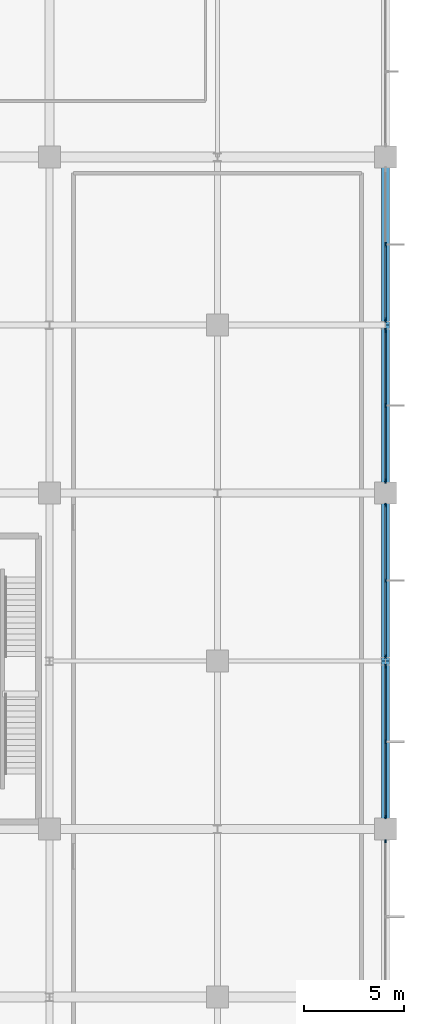
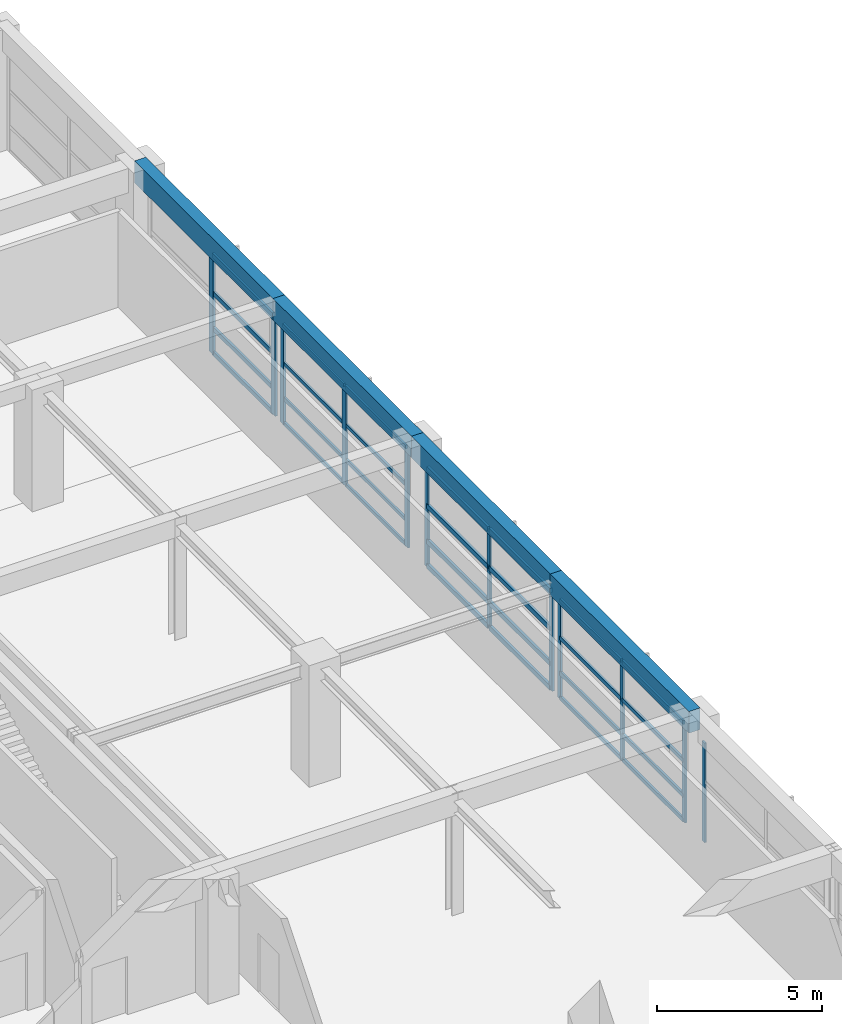
# One storey, part 32 of 56: 40 members, 4 beams, 5 elements without a shape of their own.
"""IFC4 building model written with IfcOpenShell, lengths in metres."""

from ifc_helpers import new_model, si_unit, direction, frame, origin, origin_2d, place, context, subcontext, project, spatial, rectangle, extrude, material, material_profile, profile_set, type_object, element, aggregate, save


model = new_model("IFC4")

# Units and contexts
model_context = context("Model", 3, precision=1e-05, world=origin(), true_north=direction((0.0, 1.0)))
body_context = subcontext(model_context, "Body", "Model", "MODEL_VIEW")
ifc_project = project(units=[si_unit("LENGTHUNIT", "METRE"), si_unit("AREAUNIT", "SQUARE_METRE"), si_unit("VOLUMEUNIT", "CUBIC_METRE"), si_unit("PLANEANGLEUNIT", "RADIAN"), si_unit("MASSUNIT", "GRAM", prefix="KILO")], contexts=[model_context])

# Site, building, storey
site_placement = place(None, origin())
site = spatial("IfcSite", under=ifc_project, at=site_placement, CompositionType="ELEMENT")
building_placement = place(site_placement, origin())
building = spatial("IfcBuilding", under=site, at=building_placement, Name="Xuanlan Plaza Opera House", CompositionType="ELEMENT")
storey_placement = place(building_placement, frame((0.0, 0.0, 18.89990234375)))
storey = spatial("IfcBuildingStorey", under=building, at=storey_placement, Name="L04", CompositionType="ELEMENT", Elevation=18.89990234375)

# Curtain wall, member
ifc_material_1 = material(Name="Anodised Aluminium 6063-T6 and Low-E Glass", Category="aluminium")
curtain_wall_type_1 = type_object("IfcCurtainWallType", Name="ENV-CW-CW-02", PredefinedType="USERDEFINED", material=ifc_material_1)
curtain_wall_1_placement = place(storey_placement, origin())
curtain_wall_1 = element("IfcCurtainWall", 1, at=curtain_wall_1_placement, inside=storey, type_object=curtain_wall_type_1, Name="Unitised Curtain Wall L04-020", ObjectType="UNITISED CURTAIN WALL", PredefinedType="USERDEFINED")
ifc_material_2 = material(Name="Anodised Aluminium 6063-T6", Category="aluminium")
ifc_material_profile_1 = material_profile(ifc_material_2, rectangle(XDim=0.06494140625, YDim=0.159912109375, at=origin_2d()), Name="ALU-M 65x160")
ifc_profile_set_1 = profile_set([ifc_material_profile_1], Name="Anodised Aluminium 6063-T6")
member_type_1 = type_object("IfcMemberType", Name="ENV-CWM-01", PredefinedType="MULLION", material=ifc_profile_set_1)
member_1_placement = place(storey_placement, frame((168.0, 49.797607421875, 0.0), z_axis=(0.0, 0.0, 1.0), x_axis=(-1.0, 0.0, 0.0)))
member_1 = element("IfcMember", 2, at=member_1_placement, type_object=member_type_1, Name="CW-02 mullion 3", PredefinedType="MULLION", context=body_context, shape_type="SweptSolid", body=[
    extrude(rectangle(XDim=0.06494140625, YDim=0.159912109375, at=origin_2d()), origin(), (0.0, 0.0, 1.0), 3.68017578125),
])
aggregate(curtain_wall_1, [member_1])

# Curtain wall, members
curtain_wall_type_2 = type_object("IfcCurtainWallType", Name="ENV-CW-CW-03", PredefinedType="USERDEFINED", material=ifc_material_1)
curtain_wall_2_placement = place(storey_placement, origin())
curtain_wall_2 = element("IfcCurtainWall", 3, at=curtain_wall_2_placement, inside=storey, type_object=curtain_wall_type_2, Name="Unitised Curtain Wall L04-021", ObjectType="UNITISED CURTAIN WALL", PredefinedType="USERDEFINED")
ifc_material_profile_2 = material_profile(ifc_material_2, rectangle(XDim=0.070068359375, YDim=0.179931640625, at=origin_2d()), Name="ALU-M 70x180")
ifc_profile_set_2 = profile_set([ifc_material_profile_2], Name="Anodised Aluminium 6063-T6")
member_type_2 = type_object("IfcMemberType", Name="ENV-CWM-02", PredefinedType="MULLION", material=ifc_profile_set_2)
member_2_placement = place(storey_placement, frame((168.0, 51.0048828125, 0.0), z_axis=(0.0, 0.0, 1.0), x_axis=(-1.0, 0.0, 0.0)))
member_2 = element("IfcMember", 4, at=member_2_placement, type_object=member_type_2, Name="CW-03 mullion 1", PredefinedType="MULLION", context=body_context, shape_type="SweptSolid", body=[
    extrude(rectangle(XDim=0.070068359375, YDim=0.179931640625, at=origin_2d()), origin(), (0.0, 0.0, 1.0), 3.68017578125),
])
member_3_placement = place(storey_placement, frame((168.0, 54.77490234375, 0.0), z_axis=(0.0, 0.0, 1.0), x_axis=(-1.0, 0.0, 0.0)))
member_3 = element("IfcMember", 5, at=member_3_placement, type_object=member_type_2, Name="CW-03 mullion 2", PredefinedType="MULLION", context=body_context, shape_type="SweptSolid", body=[
    extrude(rectangle(XDim=0.070068359375, YDim=0.179931640625, at=origin_2d()), origin(), (0.0, 0.0, 1.0), 3.68017578125),
])
member_4_placement = place(storey_placement, frame((168.0, 58.544921875, 0.0), z_axis=(0.0, 0.0, 1.0), x_axis=(-1.0, 0.0, 0.0)))
member_4 = element("IfcMember", 6, at=member_4_placement, type_object=member_type_2, Name="CW-03 mullion 3", PredefinedType="MULLION", context=body_context, shape_type="SweptSolid", body=[
    extrude(rectangle(XDim=0.070068359375, YDim=0.179931640625, at=origin_2d()), origin(), (0.0, 0.0, 1.0), 3.68017578125),
])

curtain_wall_type_3 = type_object("IfcCurtainWallType", Name="ENV-CW-CW-04", PredefinedType="USERDEFINED", material=ifc_material_1)
curtain_wall_3_placement = place(storey_placement, origin())
curtain_wall_3 = element("IfcCurtainWall", 7, at=curtain_wall_3_placement, inside=storey, type_object=curtain_wall_type_3, Name="Unitised Curtain Wall L04-022", ObjectType="UNITISED CURTAIN WALL", PredefinedType="USERDEFINED")
ifc_material_profile_3 = material_profile(ifc_material_2, rectangle(XDim=0.074951171875, YDim=0.199951171875, at=origin_2d()), Name="ALU-M 75x200")
ifc_profile_set_3 = profile_set([ifc_material_profile_3], Name="Anodised Aluminium 6063-T6")
member_type_3 = type_object("IfcMemberType", Name="ENV-CWM-03", PredefinedType="MULLION", material=ifc_profile_set_3)
member_5_placement = place(storey_placement, frame((168.0, 59.0576171875, 0.0), z_axis=(0.0, 0.0, 1.0), x_axis=(-1.0, 0.0, 0.0)))
member_5 = element("IfcMember", 8, at=member_5_placement, type_object=member_type_3, Name="CW-04 mullion 1", PredefinedType="MULLION", context=body_context, shape_type="SweptSolid", body=[
    extrude(rectangle(XDim=0.074951171875, YDim=0.199951171875, at=origin_2d()), origin(), (0.0, 0.0, 1.0), 3.68017578125),
])
member_6_placement = place(storey_placement, frame((168.0, 62.824951171875, 0.0), z_axis=(0.0, 0.0, 1.0), x_axis=(-1.0, 0.0, 0.0)))
member_6 = element("IfcMember", 9, at=member_6_placement, type_object=member_type_3, Name="CW-04 mullion 2", PredefinedType="MULLION", context=body_context, shape_type="SweptSolid", body=[
    extrude(rectangle(XDim=0.074951171875, YDim=0.199951171875, at=origin_2d()), origin(), (0.0, 0.0, 1.0), 3.68017578125),
])
member_7_placement = place(storey_placement, frame((168.0, 66.592529296875, 0.0), z_axis=(0.0, 0.0, 1.0), x_axis=(-1.0, 0.0, 0.0)))
member_7 = element("IfcMember", 10, at=member_7_placement, type_object=member_type_3, Name="CW-04 mullion 3", PredefinedType="MULLION", context=body_context, shape_type="SweptSolid", body=[
    extrude(rectangle(XDim=0.074951171875, YDim=0.199951171875, at=origin_2d()), origin(), (0.0, 0.0, 1.0), 3.68017578125),
])

curtain_wall_type_4 = type_object("IfcCurtainWallType", Name="ENV-CW-CW-01", PredefinedType="USERDEFINED", material=ifc_material_1)
curtain_wall_4_placement = place(storey_placement, origin())
curtain_wall_4 = element("IfcCurtainWall", 11, at=curtain_wall_4_placement, inside=storey, type_object=curtain_wall_type_4, Name="Unitised Curtain Wall L04-023", ObjectType="UNITISED CURTAIN WALL", PredefinedType="USERDEFINED")
ifc_material_profile_4 = material_profile(ifc_material_2, rectangle(XDim=0.080078125, YDim=0.219970703125, at=origin_2d()), Name="ALU-M 80x220")
ifc_profile_set_4 = profile_set([ifc_material_profile_4], Name="Anodised Aluminium 6063-T6")
member_type_4 = type_object("IfcMemberType", Name="ENV-CWM-04", PredefinedType="MULLION", material=ifc_profile_set_4)
member_8_placement = place(storey_placement, frame((168.0, 67.81005859375, 0.0), z_axis=(0.0, 0.0, 1.0), x_axis=(-1.0, 0.0, 0.0)))
member_8 = element("IfcMember", 12, at=member_8_placement, type_object=member_type_4, Name="CW-01 mullion 1", PredefinedType="MULLION", context=body_context, shape_type="SweptSolid", body=[
    extrude(rectangle(XDim=0.080078125, YDim=0.219970703125, at=origin_2d()), origin(), (0.0, 0.0, 1.0), 3.68017578125),
])
member_9_placement = place(storey_placement, frame((168.0, 71.574951171875, 0.0), z_axis=(0.0, 0.0, 1.0), x_axis=(-1.0, 0.0, 0.0)))
member_9 = element("IfcMember", 13, at=member_9_placement, type_object=member_type_4, Name="CW-01 mullion 2", PredefinedType="MULLION", context=body_context, shape_type="SweptSolid", body=[
    extrude(rectangle(XDim=0.080078125, YDim=0.219970703125, at=origin_2d()), origin(), (0.0, 0.0, 1.0), 3.68017578125),
])
member_10_placement = place(storey_placement, frame((168.0, 75.340087890625, 0.0), z_axis=(0.0, 0.0, 1.0), x_axis=(-1.0, 0.0, 0.0)))
member_10 = element("IfcMember", 14, at=member_10_placement, type_object=member_type_4, Name="CW-01 mullion 3", PredefinedType="MULLION", context=body_context, shape_type="SweptSolid", body=[
    extrude(rectangle(XDim=0.080078125, YDim=0.219970703125, at=origin_2d()), origin(), (0.0, 0.0, 1.0), 3.68017578125),
])

curtain_wall_5_placement = place(storey_placement, origin())
curtain_wall_5 = element("IfcCurtainWall", 15, at=curtain_wall_5_placement, inside=storey, type_object=curtain_wall_type_1, Name="Unitised Curtain Wall L04-024", ObjectType="UNITISED CURTAIN WALL", PredefinedType="USERDEFINED")
ifc_material_profile_5 = material_profile(ifc_material_2, rectangle(XDim=0.090087890625, YDim=0.25, at=origin_2d()), Name="ALU-M 90x250")
ifc_profile_set_5 = profile_set([ifc_material_profile_5], Name="Anodised Aluminium 6063-T6")
member_type_5 = type_object("IfcMemberType", Name="ENV-CWM-05", PredefinedType="MULLION", material=ifc_profile_set_5)
member_11_placement = place(storey_placement, frame((168.0, 75.864990234375, 0.0), z_axis=(0.0, 0.0, 1.0), x_axis=(-1.0, 0.0, 0.0)))
member_11 = element("IfcMember", 16, at=member_11_placement, type_object=member_type_5, Name="CW-02 mullion 1", PredefinedType="MULLION", context=body_context, shape_type="SweptSolid", body=[
    extrude(rectangle(XDim=0.090087890625, YDim=0.25, at=origin_2d()), origin(), (0.0, 0.0, 1.0), 3.68017578125),
])
member_12_placement = place(storey_placement, frame((168.0, 79.625, 0.0), z_axis=(0.0, 0.0, 1.0), x_axis=(-1.0, 0.0, 0.0)))
member_12 = element("IfcMember", 17, at=member_12_placement, type_object=member_type_5, Name="CW-02 mullion 2", PredefinedType="MULLION", context=body_context, shape_type="SweptSolid", body=[
    extrude(rectangle(XDim=0.090087890625, YDim=0.25, at=origin_2d()), origin(), (0.0, 0.0, 1.0), 3.68017578125),
])

# Member
ifc_material_profile_6 = material_profile(ifc_material_2, rectangle(XDim=0.070068359375, YDim=0.135009765625, at=origin_2d()), Name="ALU-T 70x135")
ifc_profile_set_6 = profile_set([ifc_material_profile_6], Name="Anodised Aluminium 6063-T6")
member_type_6 = type_object("IfcMemberType", Name="ENV-CWT-02", PredefinedType="USERDEFINED", material=ifc_profile_set_6)
member_13_placement = place(storey_placement, frame((168.0, 67.85009765625, 0.03515625), z_axis=(0.0, 1.0, 0.0), x_axis=(-1.0, 0.0, 0.0)))
member_13 = element("IfcMember", 18, at=member_13_placement, type_object=member_type_6, Name="CW-01 transom 1.1", ObjectType="TRANSOM", PredefinedType="USERDEFINED", context=body_context, shape_type="SweptSolid", body=[
    extrude(rectangle(XDim=0.070068359375, YDim=0.135009765625, at=origin_2d()), origin(), (0.0, 0.0, 1.0), 3.684814453125),
])

member_14_placement = place(storey_placement, frame((168.0, 67.85009765625, 0.9501953125), z_axis=(0.0, 1.0, 0.0), x_axis=(-1.0, 0.0, 0.0)))
member_14 = element("IfcMember", 19, at=member_14_placement, type_object=member_type_6, Name="CW-01 transom 1.2", ObjectType="TRANSOM", PredefinedType="USERDEFINED", context=body_context, shape_type="SweptSolid", body=[
    extrude(rectangle(XDim=0.070068359375, YDim=0.135009765625, at=origin_2d()), origin(), (0.0, 0.0, 1.0), 3.684814453125),
])

member_15_placement = place(storey_placement, frame((168.0, 67.85009765625, 2.25), z_axis=(0.0, 1.0, 0.0), x_axis=(-1.0, 0.0, 0.0)))
member_15 = element("IfcMember", 20, at=member_15_placement, type_object=member_type_6, Name="CW-01 transom 1.3", ObjectType="TRANSOM", PredefinedType="USERDEFINED", context=body_context, shape_type="SweptSolid", body=[
    extrude(rectangle(XDim=0.070068359375, YDim=0.135009765625, at=origin_2d()), origin(), (0.0, 0.0, 1.0), 3.684814453125),
])

member_16_placement = place(storey_placement, frame((168.0, 67.85009765625, 3.64501953125), z_axis=(0.0, 1.0, 0.0), x_axis=(-1.0, 0.0, 0.0)))
member_16 = element("IfcMember", 21, at=member_16_placement, type_object=member_type_6, Name="CW-01 transom 1.4", ObjectType="TRANSOM", PredefinedType="USERDEFINED", context=body_context, shape_type="SweptSolid", body=[
    extrude(rectangle(XDim=0.070068359375, YDim=0.135009765625, at=origin_2d()), origin(), (0.0, 0.0, 1.0), 3.684814453125),
])

member_17_placement = place(storey_placement, frame((168.0, 71.614990234375, 0.03515625), z_axis=(0.0, 1.0, 0.0), x_axis=(-1.0, 0.0, 0.0)))
member_17 = element("IfcMember", 22, at=member_17_placement, type_object=member_type_6, Name="CW-01 transom 2.1", ObjectType="TRANSOM", PredefinedType="USERDEFINED", context=body_context, shape_type="SweptSolid", body=[
    extrude(rectangle(XDim=0.070068359375, YDim=0.135009765625, at=origin_2d()), origin(), (0.0, 0.0, 1.0), 3.68505859375),
])

member_18_placement = place(storey_placement, frame((168.0, 71.614990234375, 0.9501953125), z_axis=(0.0, 1.0, 0.0), x_axis=(-1.0, 0.0, 0.0)))
member_18 = element("IfcMember", 23, at=member_18_placement, type_object=member_type_6, Name="CW-01 transom 2.2", ObjectType="TRANSOM", PredefinedType="USERDEFINED", context=body_context, shape_type="SweptSolid", body=[
    extrude(rectangle(XDim=0.070068359375, YDim=0.135009765625, at=origin_2d()), origin(), (0.0, 0.0, 1.0), 3.68505859375),
])

member_19_placement = place(storey_placement, frame((168.0, 71.614990234375, 2.25), z_axis=(0.0, 1.0, 0.0), x_axis=(-1.0, 0.0, 0.0)))
member_19 = element("IfcMember", 24, at=member_19_placement, type_object=member_type_6, Name="CW-01 transom 2.3", ObjectType="TRANSOM", PredefinedType="USERDEFINED", context=body_context, shape_type="SweptSolid", body=[
    extrude(rectangle(XDim=0.070068359375, YDim=0.135009765625, at=origin_2d()), origin(), (0.0, 0.0, 1.0), 3.68505859375),
])

member_20_placement = place(storey_placement, frame((168.0, 71.614990234375, 3.64501953125), z_axis=(0.0, 1.0, 0.0), x_axis=(-1.0, 0.0, 0.0)))
member_20 = element("IfcMember", 25, at=member_20_placement, type_object=member_type_6, Name="CW-01 transom 2.4", ObjectType="TRANSOM", PredefinedType="USERDEFINED", context=body_context, shape_type="SweptSolid", body=[
    extrude(rectangle(XDim=0.070068359375, YDim=0.135009765625, at=origin_2d()), origin(), (0.0, 0.0, 1.0), 3.68505859375),
])

aggregate(curtain_wall_4, [member_8, member_9, member_10, member_13, member_14, member_15, member_16, member_17, member_18, member_19, member_20])

ifc_material_profile_7 = material_profile(ifc_material_2, rectangle(XDim=0.074951171875, YDim=0.14990234375, at=origin_2d()), Name="ALU-T 75x150")
ifc_profile_set_7 = profile_set([ifc_material_profile_7], Name="Anodised Aluminium 6063-T6")
member_type_7 = type_object("IfcMemberType", Name="ENV-CWT-03", PredefinedType="USERDEFINED", material=ifc_profile_set_7)
member_21_placement = place(storey_placement, frame((168.0, 51.0400390625, 0.03759765625), z_axis=(0.0, 1.0, 0.0), x_axis=(-1.0, 0.0, 0.0)))
member_21 = element("IfcMember", 26, at=member_21_placement, type_object=member_type_7, Name="CW-03 transom 1.1", ObjectType="TRANSOM", PredefinedType="USERDEFINED", context=body_context, shape_type="SweptSolid", body=[
    extrude(rectangle(XDim=0.074951171875, YDim=0.14990234375, at=origin_2d()), origin(), (0.0, 0.0, 1.0), 3.699951171875),
])

member_22_placement = place(storey_placement, frame((168.0, 51.0400390625, 0.9501953125), z_axis=(0.0, 1.0, 0.0), x_axis=(-1.0, 0.0, 0.0)))
member_22 = element("IfcMember", 27, at=member_22_placement, type_object=member_type_7, Name="CW-03 transom 1.2", ObjectType="TRANSOM", PredefinedType="USERDEFINED", context=body_context, shape_type="SweptSolid", body=[
    extrude(rectangle(XDim=0.074951171875, YDim=0.14990234375, at=origin_2d()), origin(), (0.0, 0.0, 1.0), 3.699951171875),
])

member_23_placement = place(storey_placement, frame((168.0, 51.0400390625, 2.25), z_axis=(0.0, 1.0, 0.0), x_axis=(-1.0, 0.0, 0.0)))
member_23 = element("IfcMember", 28, at=member_23_placement, type_object=member_type_7, Name="CW-03 transom 1.3", ObjectType="TRANSOM", PredefinedType="USERDEFINED", context=body_context, shape_type="SweptSolid", body=[
    extrude(rectangle(XDim=0.074951171875, YDim=0.14990234375, at=origin_2d()), origin(), (0.0, 0.0, 1.0), 3.699951171875),
])

member_24_placement = place(storey_placement, frame((168.0, 51.0400390625, 3.642578125), z_axis=(0.0, 1.0, 0.0), x_axis=(-1.0, 0.0, 0.0)))
member_24 = element("IfcMember", 29, at=member_24_placement, type_object=member_type_7, Name="CW-03 transom 1.4", ObjectType="TRANSOM", PredefinedType="USERDEFINED", context=body_context, shape_type="SweptSolid", body=[
    extrude(rectangle(XDim=0.074951171875, YDim=0.14990234375, at=origin_2d()), origin(), (0.0, 0.0, 1.0), 3.699951171875),
])

member_25_placement = place(storey_placement, frame((168.0, 54.81005859375, 0.03759765625), z_axis=(0.0, 1.0, 0.0), x_axis=(-1.0, 0.0, 0.0)))
member_25 = element("IfcMember", 30, at=member_25_placement, type_object=member_type_7, Name="CW-03 transom 2.1", ObjectType="TRANSOM", PredefinedType="USERDEFINED", context=body_context, shape_type="SweptSolid", body=[
    extrude(rectangle(XDim=0.074951171875, YDim=0.14990234375, at=origin_2d()), origin(), (0.0, 0.0, 1.0), 3.699951171875),
])

member_26_placement = place(storey_placement, frame((168.0, 54.81005859375, 0.9501953125), z_axis=(0.0, 1.0, 0.0), x_axis=(-1.0, 0.0, 0.0)))
member_26 = element("IfcMember", 31, at=member_26_placement, type_object=member_type_7, Name="CW-03 transom 2.2", ObjectType="TRANSOM", PredefinedType="USERDEFINED", context=body_context, shape_type="SweptSolid", body=[
    extrude(rectangle(XDim=0.074951171875, YDim=0.14990234375, at=origin_2d()), origin(), (0.0, 0.0, 1.0), 3.699951171875),
])

member_27_placement = place(storey_placement, frame((168.0, 54.81005859375, 2.25), z_axis=(0.0, 1.0, 0.0), x_axis=(-1.0, 0.0, 0.0)))
member_27 = element("IfcMember", 32, at=member_27_placement, type_object=member_type_7, Name="CW-03 transom 2.3", ObjectType="TRANSOM", PredefinedType="USERDEFINED", context=body_context, shape_type="SweptSolid", body=[
    extrude(rectangle(XDim=0.074951171875, YDim=0.14990234375, at=origin_2d()), origin(), (0.0, 0.0, 1.0), 3.699951171875),
])

member_28_placement = place(storey_placement, frame((168.0, 54.81005859375, 3.642578125), z_axis=(0.0, 1.0, 0.0), x_axis=(-1.0, 0.0, 0.0)))
member_28 = element("IfcMember", 33, at=member_28_placement, type_object=member_type_7, Name="CW-03 transom 2.4", ObjectType="TRANSOM", PredefinedType="USERDEFINED", context=body_context, shape_type="SweptSolid", body=[
    extrude(rectangle(XDim=0.074951171875, YDim=0.14990234375, at=origin_2d()), origin(), (0.0, 0.0, 1.0), 3.699951171875),
])

aggregate(curtain_wall_2, [member_2, member_3, member_4, member_21, member_22, member_23, member_24, member_25, member_26, member_27, member_28])

ifc_material_profile_8 = material_profile(ifc_material_2, rectangle(XDim=0.080078125, YDim=0.1650390625, at=origin_2d()), Name="ALU-T 80x165")
ifc_profile_set_8 = profile_set([ifc_material_profile_8], Name="Anodised Aluminium 6063-T6")
member_type_8 = type_object("IfcMemberType", Name="ENV-CWT-04", PredefinedType="USERDEFINED", material=ifc_profile_set_8)
member_29_placement = place(storey_placement, frame((168.0, 75.909912109375, 0.0400390625), z_axis=(0.0, 1.0, 0.0), x_axis=(-1.0, 0.0, 0.0)))
member_29 = element("IfcMember", 34, at=member_29_placement, type_object=member_type_8, Name="CW-02 transom 1.1", ObjectType="TRANSOM", PredefinedType="USERDEFINED", context=body_context, shape_type="SweptSolid", body=[
    extrude(rectangle(XDim=0.080078125, YDim=0.1650390625, at=origin_2d()), origin(), (0.0, 0.0, 1.0), 3.670166015625),
])

member_30_placement = place(storey_placement, frame((168.0, 75.909912109375, 0.9501953125), z_axis=(0.0, 1.0, 0.0), x_axis=(-1.0, 0.0, 0.0)))
member_30 = element("IfcMember", 35, at=member_30_placement, type_object=member_type_8, Name="CW-02 transom 1.2", ObjectType="TRANSOM", PredefinedType="USERDEFINED", context=body_context, shape_type="SweptSolid", body=[
    extrude(rectangle(XDim=0.080078125, YDim=0.1650390625, at=origin_2d()), origin(), (0.0, 0.0, 1.0), 3.670166015625),
])

member_31_placement = place(storey_placement, frame((168.0, 75.909912109375, 2.25), z_axis=(0.0, 1.0, 0.0), x_axis=(-1.0, 0.0, 0.0)))
member_31 = element("IfcMember", 36, at=member_31_placement, type_object=member_type_8, Name="CW-02 transom 1.3", ObjectType="TRANSOM", PredefinedType="USERDEFINED", context=body_context, shape_type="SweptSolid", body=[
    extrude(rectangle(XDim=0.080078125, YDim=0.1650390625, at=origin_2d()), origin(), (0.0, 0.0, 1.0), 3.670166015625),
])

member_32_placement = place(storey_placement, frame((168.0, 75.909912109375, 3.64013671875), z_axis=(0.0, 1.0, 0.0), x_axis=(-1.0, 0.0, 0.0)))
member_32 = element("IfcMember", 37, at=member_32_placement, type_object=member_type_8, Name="CW-02 transom 1.4", ObjectType="TRANSOM", PredefinedType="USERDEFINED", context=body_context, shape_type="SweptSolid", body=[
    extrude(rectangle(XDim=0.080078125, YDim=0.1650390625, at=origin_2d()), origin(), (0.0, 0.0, 1.0), 3.670166015625),
])

aggregate(curtain_wall_5, [member_11, member_12, member_29, member_30, member_31, member_32])

ifc_material_profile_9 = material_profile(ifc_material_2, rectangle(XDim=0.090087890625, YDim=0.179931640625, at=origin_2d()), Name="ALU-T 90x180")
ifc_profile_set_9 = profile_set([ifc_material_profile_9], Name="Anodised Aluminium 6063-T6")
member_type_9 = type_object("IfcMemberType", Name="ENV-CWT-05", PredefinedType="USERDEFINED", material=ifc_profile_set_9)
member_33_placement = place(storey_placement, frame((168.0, 59.094970703125, 0.045166015625), z_axis=(0.0, 1.0, 0.0), x_axis=(-1.0, 0.0, 0.0)))
member_33 = element("IfcMember", 38, at=member_33_placement, type_object=member_type_9, Name="CW-04 transom 1.1", ObjectType="TRANSOM", PredefinedType="USERDEFINED", context=body_context, shape_type="SweptSolid", body=[
    extrude(rectangle(XDim=0.090087890625, YDim=0.179931640625, at=origin_2d()), origin(), (0.0, 0.0, 1.0), 3.692626953125),
])

member_34_placement = place(storey_placement, frame((168.0, 59.094970703125, 0.9501953125), z_axis=(0.0, 1.0, 0.0), x_axis=(-1.0, 0.0, 0.0)))
member_34 = element("IfcMember", 39, at=member_34_placement, type_object=member_type_9, Name="CW-04 transom 1.2", ObjectType="TRANSOM", PredefinedType="USERDEFINED", context=body_context, shape_type="SweptSolid", body=[
    extrude(rectangle(XDim=0.090087890625, YDim=0.179931640625, at=origin_2d()), origin(), (0.0, 0.0, 1.0), 3.692626953125),
])

member_35_placement = place(storey_placement, frame((168.0, 59.094970703125, 2.25), z_axis=(0.0, 1.0, 0.0), x_axis=(-1.0, 0.0, 0.0)))
member_35 = element("IfcMember", 40, at=member_35_placement, type_object=member_type_9, Name="CW-04 transom 1.3", ObjectType="TRANSOM", PredefinedType="USERDEFINED", context=body_context, shape_type="SweptSolid", body=[
    extrude(rectangle(XDim=0.090087890625, YDim=0.179931640625, at=origin_2d()), origin(), (0.0, 0.0, 1.0), 3.692626953125),
])

member_36_placement = place(storey_placement, frame((168.0, 59.094970703125, 3.635009765625), z_axis=(0.0, 1.0, 0.0), x_axis=(-1.0, 0.0, 0.0)))
member_36 = element("IfcMember", 41, at=member_36_placement, type_object=member_type_9, Name="CW-04 transom 1.4", ObjectType="TRANSOM", PredefinedType="USERDEFINED", context=body_context, shape_type="SweptSolid", body=[
    extrude(rectangle(XDim=0.090087890625, YDim=0.179931640625, at=origin_2d()), origin(), (0.0, 0.0, 1.0), 3.692626953125),
])

member_37_placement = place(storey_placement, frame((168.0, 62.862548828125, 0.045166015625), z_axis=(0.0, 1.0, 0.0), x_axis=(-1.0, 0.0, 0.0)))
member_37 = element("IfcMember", 42, at=member_37_placement, type_object=member_type_9, Name="CW-04 transom 2.1", ObjectType="TRANSOM", PredefinedType="USERDEFINED", context=body_context, shape_type="SweptSolid", body=[
    extrude(rectangle(XDim=0.090087890625, YDim=0.179931640625, at=origin_2d()), origin(), (0.0, 0.0, 1.0), 3.6923828125),
])

member_38_placement = place(storey_placement, frame((168.0, 62.862548828125, 0.9501953125), z_axis=(0.0, 1.0, 0.0), x_axis=(-1.0, 0.0, 0.0)))
member_38 = element("IfcMember", 43, at=member_38_placement, type_object=member_type_9, Name="CW-04 transom 2.2", ObjectType="TRANSOM", PredefinedType="USERDEFINED", context=body_context, shape_type="SweptSolid", body=[
    extrude(rectangle(XDim=0.090087890625, YDim=0.179931640625, at=origin_2d()), origin(), (0.0, 0.0, 1.0), 3.6923828125),
])

member_39_placement = place(storey_placement, frame((168.0, 62.862548828125, 2.25), z_axis=(0.0, 1.0, 0.0), x_axis=(-1.0, 0.0, 0.0)))
member_39 = element("IfcMember", 44, at=member_39_placement, type_object=member_type_9, Name="CW-04 transom 2.3", ObjectType="TRANSOM", PredefinedType="USERDEFINED", context=body_context, shape_type="SweptSolid", body=[
    extrude(rectangle(XDim=0.090087890625, YDim=0.179931640625, at=origin_2d()), origin(), (0.0, 0.0, 1.0), 3.6923828125),
])

member_40_placement = place(storey_placement, frame((168.0, 62.862548828125, 3.635009765625), z_axis=(0.0, 1.0, 0.0), x_axis=(-1.0, 0.0, 0.0)))
member_40 = element("IfcMember", 45, at=member_40_placement, type_object=member_type_9, Name="CW-04 transom 2.4", ObjectType="TRANSOM", PredefinedType="USERDEFINED", context=body_context, shape_type="SweptSolid", body=[
    extrude(rectangle(XDim=0.090087890625, YDim=0.179931640625, at=origin_2d()), origin(), (0.0, 0.0, 1.0), 3.6923828125),
])

aggregate(curtain_wall_3, [member_5, member_6, member_7, member_33, member_34, member_35, member_36, member_37, member_38, member_39, member_40])

# Beams
ifc_material_3 = material(Name="Concrete C40", Category="concrete")
ifc_material_profile_10 = material_profile(ifc_material_3, rectangle(XDim=0.39990234375, YDim=0.800048828125, at=origin_2d()), Name="RC-SPD 400x800")
ifc_profile_set_10 = profile_set([ifc_material_profile_10], Name="Concrete C40")
beam_type = type_object("IfcBeamType", Name="STR-BM-SP-01", PredefinedType="SPANDREL", material=ifc_profile_set_10)
beam_1_placement = place(storey_placement, frame((168.0, 50.39990234375, 4.10009765625), z_axis=(0.0, 1.0, 0.0), x_axis=(-1.0, 0.0, 0.0)))
element("IfcBeam", 46, at=beam_1_placement, inside=storey, type_object=beam_type, Name="Grid Beam Y L04 21/G-H", PredefinedType="SPANDREL", context=body_context, shape_type="SweptSolid", body=[
    extrude(rectangle(XDim=0.39990234375, YDim=0.800048828125, at=origin_2d()), origin(), (0.0, 0.0, 1.0), 8.400146484375),
])
beam_2_placement = place(storey_placement, frame((168.0, 58.800048828125, 4.10009765625), z_axis=(0.0, 1.0, 0.0), x_axis=(-1.0, 0.0, 0.0)))
element("IfcBeam", 47, at=beam_2_placement, inside=storey, type_object=beam_type, Name="Grid Beam Y L04 21/H-I", PredefinedType="SPANDREL", context=body_context, shape_type="SweptSolid", body=[
    extrude(rectangle(XDim=0.39990234375, YDim=0.800048828125, at=origin_2d()), origin(), (0.0, 0.0, 1.0), 8.39990234375),
])
beam_3_placement = place(storey_placement, frame((168.0, 67.199951171875, 4.10009765625), z_axis=(0.0, 1.0, 0.0), x_axis=(-1.0, 0.0, 0.0)))
element("IfcBeam", 48, at=beam_3_placement, inside=storey, type_object=beam_type, Name="Grid Beam Y L04 21/I-J", PredefinedType="SPANDREL", context=body_context, shape_type="SweptSolid", body=[
    extrude(rectangle(XDim=0.39990234375, YDim=0.800048828125, at=origin_2d()), origin(), (0.0, 0.0, 1.0), 8.400146484375),
])
beam_4_placement = place(storey_placement, frame((168.0, 75.60009765625, 4.10009765625), z_axis=(0.0, 1.0, 0.0), x_axis=(-1.0, 0.0, 0.0)))
element("IfcBeam", 49, at=beam_4_placement, inside=storey, type_object=beam_type, Name="Grid Beam Y L04 21/J-K", PredefinedType="SPANDREL", context=body_context, shape_type="SweptSolid", body=[
    extrude(rectangle(XDim=0.39990234375, YDim=0.800048828125, at=origin_2d()), origin(), (0.0, 0.0, 1.0), 8.39990234375),
])

save(model, "model.ifc")
